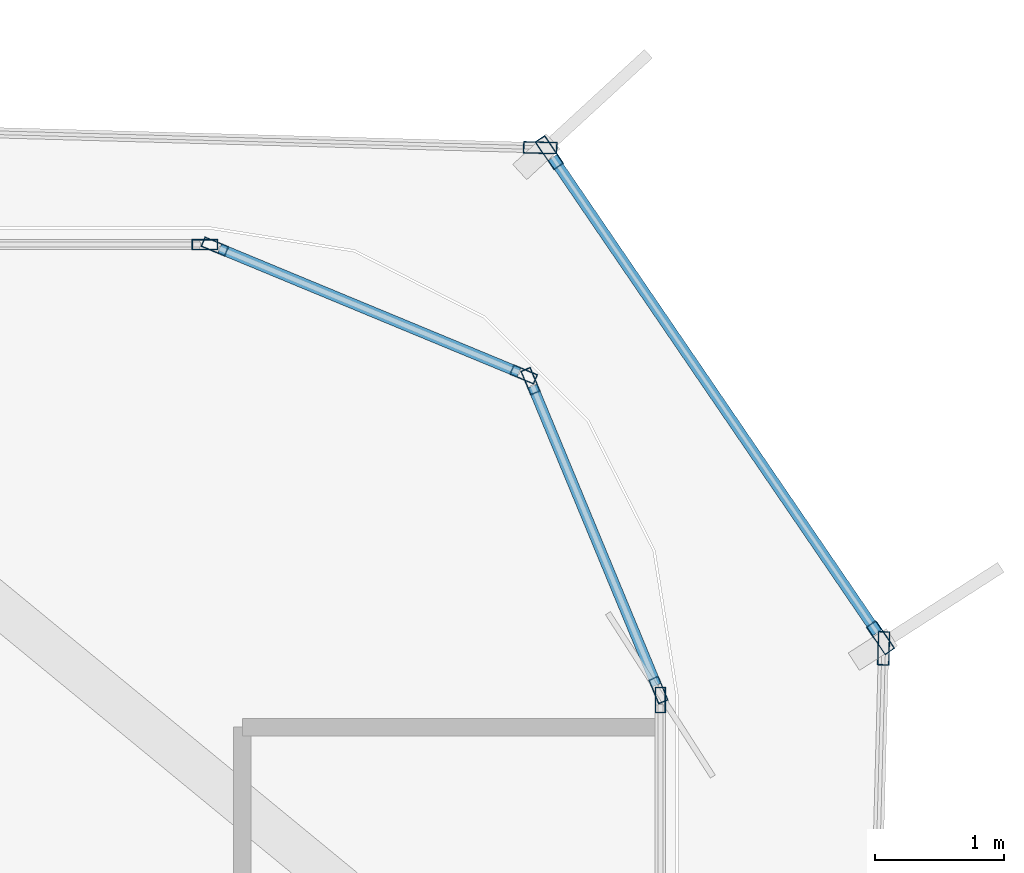
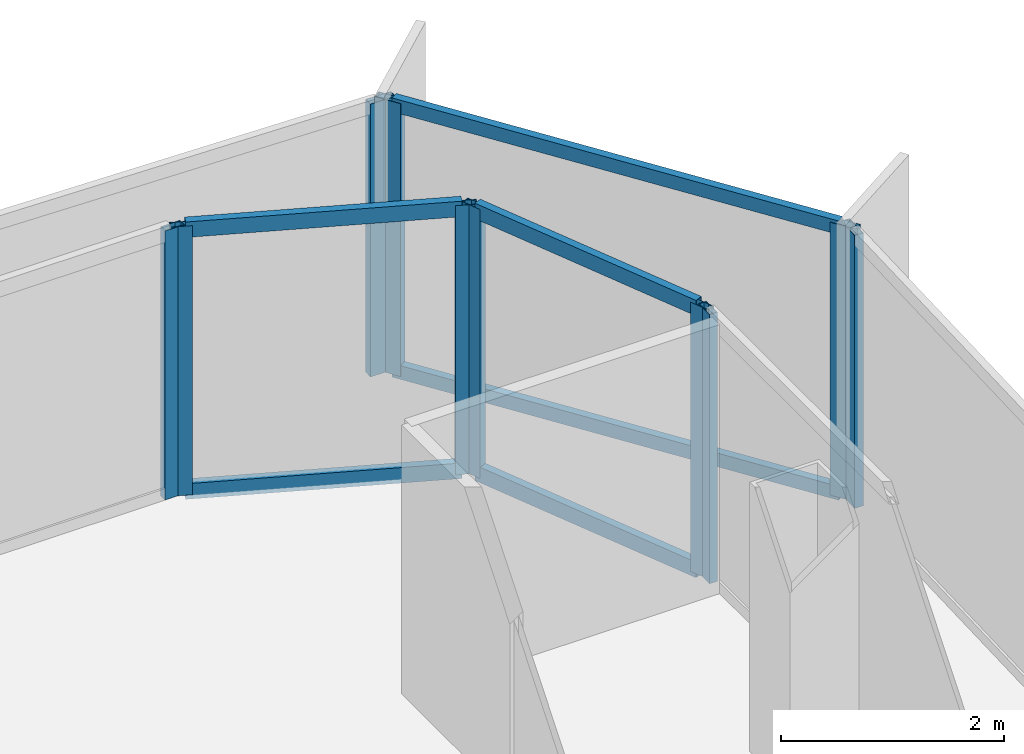
# One storey, part 8 of 16: 16 members, 7 elements without a shape of their own.
"""IFC4 building model written with IfcOpenShell, lengths in metres."""

from ifc_helpers import new_model, si_unit, direction, frame, origin, origin_2d, place, context, subcontext, project, spatial, hollow_rectangle, extrude, source, transform, mapped, material, layer, layer_set, material_profile, profile_set, type_object, element, aggregate, save


model = new_model("IFC4")

# Units and contexts
model_context = context("Model", 3, precision=1e-05, world=origin(), true_north=direction((0.0, 1.0)))
body_context = subcontext(model_context, "Body", "Model", "MODEL_VIEW")
ifc_project = project(units=[si_unit("LENGTHUNIT", "METRE"), si_unit("AREAUNIT", "SQUARE_METRE"), si_unit("VOLUMEUNIT", "CUBIC_METRE"), si_unit("PLANEANGLEUNIT", "RADIAN"), si_unit("MASSUNIT", "GRAM", prefix="KILO")], contexts=[model_context])

# Site, building, storey
site_placement = place(None, origin())
site = spatial("IfcSite", under=ifc_project, at=site_placement, CompositionType="ELEMENT")
building_placement = place(site_placement, origin())
building = spatial("IfcBuilding", under=site, at=building_placement, Name="Kolveth Station Tower", CompositionType="ELEMENT")
storey_placement = place(building_placement, frame((0.0, 0.0, 159.300048828125)))
storey = spatial("IfcBuildingStorey", under=building, at=storey_placement, Name="L44", CompositionType="ELEMENT", Elevation=159.300048828125)

# Curtain wall, member
ifc_material_1 = material(Name="Aluminium 6063-T6 and low-E dark glass", Category="aluminium")
ifc_layer_1 = layer(ifc_material_1, 0.18994140625)
ifc_layer_set_1 = layer_set([ifc_layer_1], Name="Aluminium 6063-T6 and low-E dark glass")
curtain_wall_type_1 = type_object("IfcCurtainWallType", Name="CurtainWall_CW-Z2", PredefinedType="NOTDEFINED", material=ifc_layer_set_1)
curtain_wall_1_placement = place(storey_placement, origin())
curtain_wall_1 = element("IfcCurtainWall", 1, at=curtain_wall_1_placement, inside=storey, type_object=curtain_wall_type_1, Name="L44 Inner Thermal Curtain Wall 3", PredefinedType="NOTDEFINED")
ifc_material_2 = material(Name="Black anodized aluminium 6063-T6", Category="aluminium")
ifc_material_profile_1 = material_profile(ifc_material_2, hollow_rectangle(XDim=0.080078125, YDim=0.199951171875, WallThickness=0.0048828125, at=origin_2d()), Name="ALU-80x200x5")
ifc_profile_set_1 = profile_set([ifc_material_profile_1], Name="Black anodized aluminium 6063-T6")
member_type_1 = type_object("IfcMemberType", Name="Mullion_ML2", PredefinedType="MULLION", material=ifc_profile_set_1)
shared_shape_1 = source(origin(), body_context, "Body", "SweptSolid", [
    extrude(hollow_rectangle(XDim=0.080078125, YDim=0.199951171875, WallThickness=0.0048828125, at=origin_2d()), origin(), (0.0, 0.0, 1.0), 2.949951171875),
])
member_1_placement = place(storey_placement, frame((41.679931640625, 31.659912109375, 0.0), z_axis=(0.0, 0.0, 1.0), x_axis=(-1.0, 0.0, 0.0)))
member_1 = element("IfcMember", 2, at=member_1_placement, type_object=member_type_1, Name="CW-Z2 mullion 2", PredefinedType="MULLION", context=body_context, shape_type="MappedRepresentation", body=[
    mapped(shared_shape_1, transform((0.0, 0.0, 0.0), x_axis=(1.0, 0.0, 0.0), y_axis=(0.0, 1.0, 0.0), z_axis=(0.0, 0.0, 1.0), scale=1.0)),
])
aggregate(curtain_wall_1, [member_1])

# Curtain wall, members
curtain_wall_2_placement = place(storey_placement, origin())
curtain_wall_2 = element("IfcCurtainWall", 3, at=curtain_wall_2_placement, inside=storey, type_object=curtain_wall_type_1, Name="L44 Inner Thermal Curtain Wall 4", PredefinedType="NOTDEFINED")
member_2_placement = place(storey_placement, frame((41.664794921875, 31.737060546875, 0.0), z_axis=(0.0, 0.0, 1.0), x_axis=(-0.923873600544, -0.382697753087, 0.0)))
member_2 = element("IfcMember", 4, at=member_2_placement, type_object=member_type_1, Name="CW-Z2 mullion 1", PredefinedType="MULLION", context=body_context, shape_type="MappedRepresentation", body=[
    mapped(shared_shape_1, transform((0.0, 0.0, 0.0), x_axis=(1.0, 0.0, 0.0), y_axis=(0.0, 1.0, 0.0), z_axis=(0.0, 0.0, 1.0), scale=1.0)),
])
member_3_placement = place(storey_placement, frame((40.676025390625, 34.123779296875, 0.0), z_axis=(0.0, 0.0, 1.0), x_axis=(-0.923873600544, -0.382697753087, 0.0)))
member_3 = element("IfcMember", 5, at=member_3_placement, type_object=member_type_1, Name="CW-Z2 mullion 2", PredefinedType="MULLION", context=body_context, shape_type="MappedRepresentation", body=[
    mapped(shared_shape_1, transform((0.0, 0.0, 0.0), x_axis=(1.0, 0.0, 0.0), y_axis=(0.0, 1.0, 0.0), z_axis=(0.0, 0.0, 1.0), scale=1.0)),
])

curtain_wall_3_placement = place(storey_placement, origin())
curtain_wall_3 = element("IfcCurtainWall", 6, at=curtain_wall_3_placement, inside=storey, type_object=curtain_wall_type_1, Name="L44 Inner Thermal Curtain Wall 5", PredefinedType="NOTDEFINED")
member_4_placement = place(storey_placement, frame((40.623779296875, 34.176025390625, 0.0), z_axis=(0.0, 0.0, 1.0), x_axis=(-0.382697753087, -0.923873600544, 0.0)))
member_4 = element("IfcMember", 7, at=member_4_placement, type_object=member_type_1, Name="CW-Z2 mullion 1", PredefinedType="MULLION", context=body_context, shape_type="MappedRepresentation", body=[
    mapped(shared_shape_1, transform((0.0, 0.0, 0.0), x_axis=(1.0, 0.0, 0.0), y_axis=(0.0, 1.0, 0.0), z_axis=(0.0, 0.0, 1.0), scale=1.0)),
])
member_5_placement = place(storey_placement, frame((38.237060546875, 35.164794921875, 0.0), z_axis=(0.0, 0.0, 1.0), x_axis=(-0.382697753087, -0.923873600544, 0.0)))
member_5 = element("IfcMember", 8, at=member_5_placement, type_object=member_type_1, Name="CW-Z2 mullion 2", PredefinedType="MULLION", context=body_context, shape_type="MappedRepresentation", body=[
    mapped(shared_shape_1, transform((0.0, 0.0, 0.0), x_axis=(1.0, 0.0, 0.0), y_axis=(0.0, 1.0, 0.0), z_axis=(0.0, 0.0, 1.0), scale=1.0)),
])

# Curtain wall, member
curtain_wall_4_placement = place(storey_placement, origin())
curtain_wall_4 = element("IfcCurtainWall", 9, at=curtain_wall_4_placement, inside=storey, type_object=curtain_wall_type_1, Name="L44 Inner Thermal Curtain Wall 6", PredefinedType="NOTDEFINED")
member_6_placement = place(storey_placement, frame((38.159912109375, 35.179931640625, 0.0), z_axis=(0.0, 0.0, 1.0), x_axis=(0.0, -1.0, 0.0)))
member_6 = element("IfcMember", 10, at=member_6_placement, type_object=member_type_1, Name="CW-Z2 mullion 1", PredefinedType="MULLION", context=body_context, shape_type="MappedRepresentation", body=[
    mapped(shared_shape_1, transform((0.0, 0.0, 0.0), x_axis=(1.0, 0.0, 0.0), y_axis=(0.0, 1.0, 0.0), z_axis=(0.0, 0.0, 1.0), scale=1.0)),
])
aggregate(curtain_wall_4, [member_6])

ifc_material_3 = material(Name="Black anodized aluminium 6063-T6 and dark solar glass", Category="aluminium")
ifc_layer_2 = layer(ifc_material_3, 0.159912109375)
ifc_layer_set_2 = layer_set([ifc_layer_2], Name="Black anodized aluminium 6063-T6 and dark solar glass")
curtain_wall_type_2 = type_object("IfcCurtainWallType", Name="OUTER SKIN CW-OS", PredefinedType="NOTDEFINED", material=ifc_layer_set_2)
curtain_wall_5_placement = place(storey_placement, origin())
curtain_wall_5 = element("IfcCurtainWall", 11, at=curtain_wall_5_placement, inside=storey, type_object=curtain_wall_type_2, Name="L44 Outer Ventilated Skin Curtain Wall 2", PredefinedType="NOTDEFINED")
ifc_material_profile_2 = material_profile(ifc_material_2, hollow_rectangle(XDim=0.090087890625, YDim=0.260009765625, WallThickness=0.0048828125, at=origin_2d()), Name="ALU-90x260x5")
ifc_profile_set_2 = profile_set([ifc_material_profile_2], Name="Black anodized aluminium 6063-T6")
member_type_2 = type_object("IfcMemberType", Name="FIN MULLION ML-OS", PredefinedType="MULLION", material=ifc_profile_set_2)
shared_shape_2 = source(origin(), body_context, "Body", "SweptSolid", [
    extrude(hollow_rectangle(XDim=0.090087890625, YDim=0.260009765625, WallThickness=0.0048828125, at=origin_2d()), origin(), (0.0, 0.0, 1.0), 2.989990234375),
])
member_7_placement = place(storey_placement, frame((43.405029296875, 32.059814453125, 0.0), z_axis=(0.0, 0.0, 1.0), x_axis=(-0.999645180788, 0.026636676342, 0.0)))
member_7 = element("IfcMember", 12, at=member_7_placement, type_object=member_type_2, Name="CW-OS mullion 2", PredefinedType="MULLION", context=body_context, shape_type="MappedRepresentation", body=[
    mapped(shared_shape_2, transform((0.0, 0.0, 0.0), x_axis=(1.0, 0.0, 0.0), y_axis=(0.0, 1.0, 0.0), z_axis=(0.0, 0.0, 1.0), scale=1.0)),
])
aggregate(curtain_wall_5, [member_7])

# Curtain wall, members
curtain_wall_6_placement = place(storey_placement, origin())
curtain_wall_6 = element("IfcCurtainWall", 13, at=curtain_wall_6_placement, inside=storey, type_object=curtain_wall_type_2, Name="L44 Outer Ventilated Skin Curtain Wall 3", PredefinedType="NOTDEFINED")
member_8_placement = place(storey_placement, frame((43.380859375, 32.141845703125, 0.0), z_axis=(0.0, 0.0, 1.0), x_axis=(-0.825819388052, -0.563934693309, 0.0)))
member_8 = element("IfcMember", 14, at=member_8_placement, type_object=member_type_2, Name="CW-OS mullion 1", PredefinedType="MULLION", context=body_context, shape_type="MappedRepresentation", body=[
    mapped(shared_shape_2, transform((0.0, 0.0, 0.0), x_axis=(1.0, 0.0, 0.0), y_axis=(0.0, 1.0, 0.0), z_axis=(0.0, 0.0, 1.0), scale=1.0)),
])
member_9_placement = place(storey_placement, frame((40.821533203125, 35.889892578125, 0.0), z_axis=(0.0, 0.0, 1.0), x_axis=(-0.825819388052, -0.563934693309, 0.0)))
member_9 = element("IfcMember", 15, at=member_9_placement, type_object=member_type_2, Name="CW-OS mullion 2", PredefinedType="MULLION", context=body_context, shape_type="MappedRepresentation", body=[
    mapped(shared_shape_2, transform((0.0, 0.0, 0.0), x_axis=(1.0, 0.0, 0.0), y_axis=(0.0, 1.0, 0.0), z_axis=(0.0, 0.0, 1.0), scale=1.0)),
])

# Curtain wall, member
curtain_wall_7_placement = place(storey_placement, origin())
curtain_wall_7 = element("IfcCurtainWall", 16, at=curtain_wall_7_placement, inside=storey, type_object=curtain_wall_type_2, Name="L44 Outer Ventilated Skin Curtain Wall 4", PredefinedType="NOTDEFINED")
member_10_placement = place(storey_placement, frame((40.751220703125, 35.92822265625, 0.0), z_axis=(0.0, 0.0, 1.0), x_axis=(-0.027568896541, -0.999619905736, 0.0)))
member_10 = element("IfcMember", 17, at=member_10_placement, type_object=member_type_2, Name="CW-OS mullion 1", PredefinedType="MULLION", context=body_context, shape_type="MappedRepresentation", body=[
    mapped(shared_shape_2, transform((0.0, 0.0, 0.0), x_axis=(1.0, 0.0, 0.0), y_axis=(0.0, 1.0, 0.0), z_axis=(0.0, 0.0, 1.0), scale=1.0)),
])
aggregate(curtain_wall_7, [member_10])

# Member
ifc_material_profile_3 = material_profile(ifc_material_2, hollow_rectangle(XDim=0.080078125, YDim=0.169921875, WallThickness=0.0048828125, at=origin_2d()), Name="ALU-80x170x5")
ifc_profile_set_3 = profile_set([ifc_material_profile_3], Name="Black anodized aluminium 6063-T6")
member_type_3 = type_object("IfcMemberType", Name="Transom_TR2", PredefinedType="USERDEFINED", material=ifc_profile_set_3)
shared_shape_3 = source(origin(), body_context, "Body", "SweptSolid", [
    extrude(hollow_rectangle(XDim=0.080078125, YDim=0.169921875, WallThickness=0.0048828125, at=origin_2d()), origin(), (0.0, 0.0, 1.0), 2.50341796875),
])
member_11_placement = place(storey_placement, frame((41.6494140625, 31.77392578125, 0.0400390625), z_axis=(-0.382696328882, 0.923874190494, 0.0), x_axis=(-0.923874190494, -0.382696328882, 0.0)))
member_11 = element("IfcMember", 18, at=member_11_placement, type_object=member_type_3, Name="CW-Z2 transom 1.1", ObjectType="TRANSOM", PredefinedType="USERDEFINED", context=body_context, shape_type="MappedRepresentation", body=[
    mapped(shared_shape_3, transform((0.0, 0.0, 0.0), x_axis=(1.0, 0.0, 0.0), y_axis=(0.0, 1.0, 0.0), z_axis=(0.0, 0.0, 1.0), scale=1.0)),
])

member_12_placement = place(storey_placement, frame((41.6494140625, 31.77392578125, 2.909912109375), z_axis=(-0.382696328882, 0.923874190494, 0.0), x_axis=(-0.923874190494, -0.382696328882, 0.0)))
member_12 = element("IfcMember", 19, at=member_12_placement, type_object=member_type_3, Name="CW-Z2 transom 1.2", ObjectType="TRANSOM", PredefinedType="USERDEFINED", context=body_context, shape_type="MappedRepresentation", body=[
    mapped(shared_shape_3, transform((0.0, 0.0, 0.0), x_axis=(1.0, 0.0, 0.0), y_axis=(0.0, 1.0, 0.0), z_axis=(0.0, 0.0, 1.0), scale=1.0)),
])

aggregate(curtain_wall_2, [member_2, member_3, member_11, member_12])

member_13_placement = place(storey_placement, frame((40.586669921875, 34.19140625, 0.0400390625), z_axis=(-0.923874190494, 0.382696328882, 0.0), x_axis=(-0.382696328882, -0.923874190494, 0.0)))
member_13 = element("IfcMember", 20, at=member_13_placement, type_object=member_type_3, Name="CW-Z2 transom 1.1", ObjectType="TRANSOM", PredefinedType="USERDEFINED", context=body_context, shape_type="MappedRepresentation", body=[
    mapped(shared_shape_3, transform((0.0, 0.0, 0.0), x_axis=(1.0, 0.0, 0.0), y_axis=(0.0, 1.0, 0.0), z_axis=(0.0, 0.0, 1.0), scale=1.0)),
])

member_14_placement = place(storey_placement, frame((40.586669921875, 34.19140625, 2.909912109375), z_axis=(-0.923874190494, 0.382696328882, 0.0), x_axis=(-0.382696328882, -0.923874190494, 0.0)))
member_14 = element("IfcMember", 21, at=member_14_placement, type_object=member_type_3, Name="CW-Z2 transom 1.2", ObjectType="TRANSOM", PredefinedType="USERDEFINED", context=body_context, shape_type="MappedRepresentation", body=[
    mapped(shared_shape_3, transform((0.0, 0.0, 0.0), x_axis=(1.0, 0.0, 0.0), y_axis=(0.0, 1.0, 0.0), z_axis=(0.0, 0.0, 1.0), scale=1.0)),
])

aggregate(curtain_wall_3, [member_4, member_5, member_13, member_14])

ifc_material_profile_4 = material_profile(ifc_material_2, hollow_rectangle(XDim=0.080078125, YDim=0.14990234375, WallThickness=0.0048828125, at=origin_2d()), Name="ALU-80x150x5")
ifc_profile_set_4 = profile_set([ifc_material_profile_4], Name="Black anodized aluminium 6063-T6")
member_type_4 = type_object("IfcMemberType", Name="Transom_TR-OS", PredefinedType="USERDEFINED", material=ifc_profile_set_4)
shared_shape_4 = source(origin(), body_context, "Body", "SweptSolid", [
    extrude(hollow_rectangle(XDim=0.080078125, YDim=0.14990234375, WallThickness=0.0048828125, at=origin_2d()), origin(), (0.0, 0.0, 1.0), 4.448486328125),
])
member_15_placement = place(storey_placement, frame((43.35546875, 32.17919921875, 0.0400390625), z_axis=(-0.563924218174, 0.825826541204, 0.0), x_axis=(-0.825826541204, -0.563924218174, 0.0)))
member_15 = element("IfcMember", 22, at=member_15_placement, type_object=member_type_4, Name="CW-OS transom 1.1", ObjectType="TRANSOM", PredefinedType="USERDEFINED", context=body_context, shape_type="MappedRepresentation", body=[
    mapped(shared_shape_4, transform((0.0, 0.0, 0.0), x_axis=(1.0, 0.0, 0.0), y_axis=(0.0, 1.0, 0.0), z_axis=(0.0, 0.0, 1.0), scale=1.0)),
])

member_16_placement = place(storey_placement, frame((43.35546875, 32.17919921875, 2.949951171875), z_axis=(-0.563924218174, 0.825826541204, 0.0), x_axis=(-0.825826541204, -0.563924218174, 0.0)))
member_16 = element("IfcMember", 23, at=member_16_placement, type_object=member_type_4, Name="CW-OS transom 1.2", ObjectType="TRANSOM", PredefinedType="USERDEFINED", context=body_context, shape_type="MappedRepresentation", body=[
    mapped(shared_shape_4, transform((0.0, 0.0, 0.0), x_axis=(1.0, 0.0, 0.0), y_axis=(0.0, 1.0, 0.0), z_axis=(0.0, 0.0, 1.0), scale=1.0)),
])

aggregate(curtain_wall_6, [member_8, member_9, member_15, member_16])

save(model, "model.ifc")
